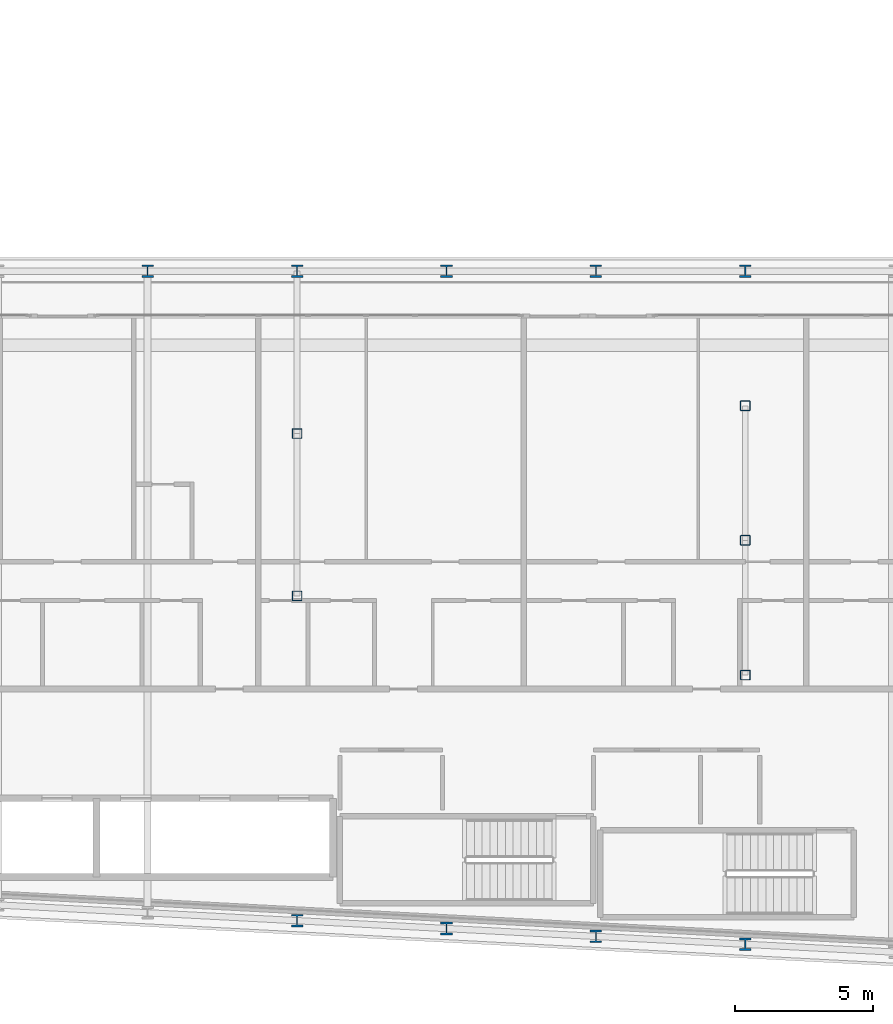
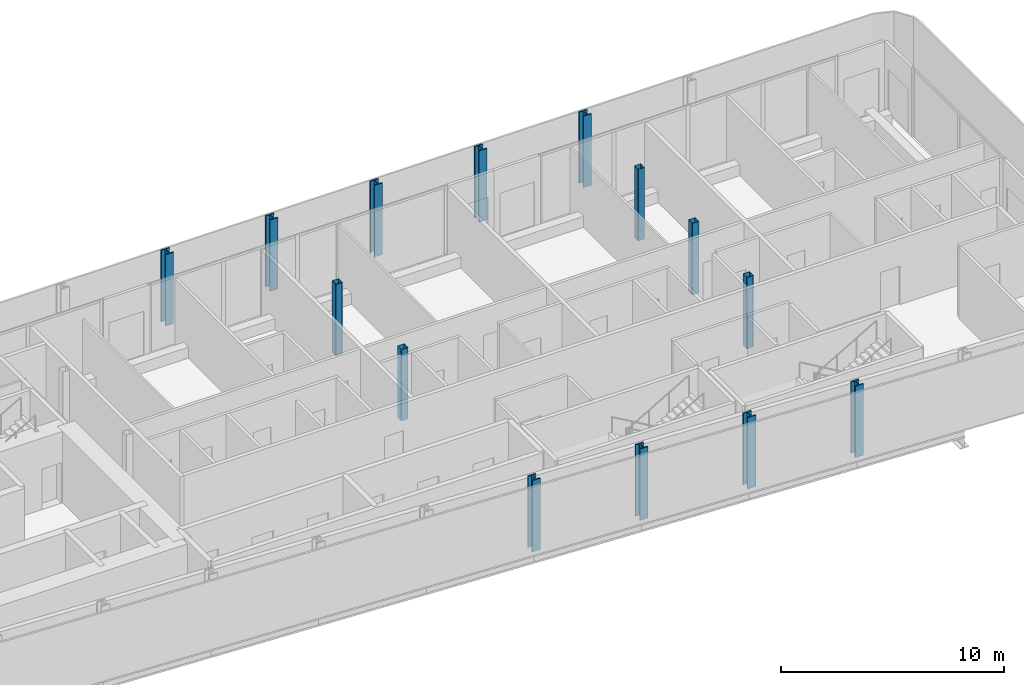
# One storey, part 2 of 27: 14 columns.
"""IFC4 building model written with IfcOpenShell, lengths in metres."""

from ifc_helpers import new_model, si_unit, direction, frame, origin, origin_2d, place, context, subcontext, project, spatial, hollow_rectangle, i_section, extrude, material, material_profile, profile_set, type_object, element, save


model = new_model("IFC4")

# Units and contexts
model_context = context("Model", 3, precision=1e-05, world=origin(), true_north=direction((0.0, 1.0)))
body_context = subcontext(model_context, "Body", "Model", "MODEL_VIEW")
ifc_project = project(units=[si_unit("LENGTHUNIT", "METRE"), si_unit("AREAUNIT", "SQUARE_METRE"), si_unit("VOLUMEUNIT", "CUBIC_METRE"), si_unit("PLANEANGLEUNIT", "RADIAN"), si_unit("MASSUNIT", "GRAM", prefix="KILO")], contexts=[model_context])

# Site, building, storey
site_placement = place(None, origin())
site = spatial("IfcSite", under=ifc_project, at=site_placement, CompositionType="ELEMENT")
building_placement = place(site_placement, origin())
building = spatial("IfcBuilding", under=site, at=building_placement, Name="Kheshtan School and Residences Tower", CompositionType="ELEMENT")
storey_placement = place(building_placement, frame((0.0, 0.0, 101.89990234375)))
storey = spatial("IfcBuildingStorey", under=building, at=storey_placement, Name="L23", CompositionType="ELEMENT", Elevation=101.89990234375)

# Columns
ifc_material_1 = material(Name="Steel ASTM A992 Grade 50", Category="steel")
ifc_material_profile_1 = material_profile(ifc_material_1, i_section(OverallWidth=0.41796875, OverallDepth=0.455078125, WebThickness=0.042236328125, FlangeThickness=0.067626953125, FilletRadius=0.013671875, at=origin_2d()), Name="W360x551")
ifc_profile_set_1 = profile_set([ifc_material_profile_1], Name="Steel ASTM A992 Grade 50")
column_type_1 = type_object("IfcColumnType", Name="Column C2 W360x551 ASTM A992 Grade 50", PredefinedType="COLUMN", material=ifc_profile_set_1)
for number, where, z_axis, x_axis, name in (
    (1, (85.39990234375, 21.27392578125, 0.0), (0.0, 0.0, 1.0), (1.0, 0.0, 0.0), "Column C008"),
    (2, (80.0, 21.55810546875, 0.0), (0.0, 0.0, 1.0), (1.0, 0.0, 0.0), "Column C012"),
    (3, (74.60009765625, 21.843017578125, 0.0), (0.0, 0.0, 1.0), (1.0, 0.0, 0.0), "Column C013"),
    (4, (69.199951171875, 22.126953125, 0.0), (0.0, 0.0, 1.0), (1.0, 0.0, 0.0), "Column C014"),
    (5, (63.800048828125, 45.60009765625, 0.0), (0.0, 0.0, 1.0), (1.0, 0.0, 0.0), "Column C063"),
    (6, (69.199951171875, 45.60009765625, 0.0), (0.0, 0.0, 1.0), (1.0, 0.0, 0.0), "Column C064"),
    (7, (74.60009765625, 45.60009765625, 0.0), (0.0, 0.0, 1.0), (1.0, 0.0, 0.0), "Column C065"),
    (8, (80.0, 45.60009765625, 0.0), (0.0, 0.0, 1.0), (1.0, 0.0, 0.0), "Column C066"),
    (9, (85.39990234375, 45.60009765625, 0.0), (0.0, 0.0, 1.0), (1.0, 0.0, 0.0), "Column C067"),
):
    element("IfcColumn", number, at=place(storey_placement, frame(where, z_axis=z_axis, x_axis=x_axis)), inside=storey, type_object=column_type_1, Name=name, PredefinedType="COLUMN", context=body_context, shape_type="SweptSolid", body=[
        extrude(i_section(OverallWidth=0.41796875, OverallDepth=0.455078125, WebThickness=0.042236328125, FlangeThickness=0.067626953125, FilletRadius=0.013671875, at=origin_2d()), origin(), (0.0, 0.0, 1.0), 3.900146484375),
    ])
ifc_material_2 = material(Name="Steel ASTM A500 Grade C", Category="steel")
ifc_material_profile_2 = material_profile(ifc_material_2, hollow_rectangle(XDim=0.35595703125, YDim=0.35595703125, WallThickness=0.015869140625, InnerFilletRadius=0.015869140625, OuterFilletRadius=0.03173828125, at=origin_2d()), Name="HSS 356x356x15.9")
ifc_profile_set_2 = profile_set([ifc_material_profile_2], Name="Steel ASTM A500 Grade C")
column_type_2 = type_object("IfcColumnType", Name="Column IC1 HSS 356x356x15.9 ASTM A500 Grade C", PredefinedType="COLUMN", material=ifc_profile_set_2)
for number, where, z_axis, x_axis, name in (
    (10, (85.39990234375, 31.0048828125, 0.0), (0.0, 0.0, 1.0), (1.0, 0.0, 0.0), "Column C049"),
    (11, (69.199951171875, 33.863037109375, 0.0), (0.0, 0.0, 1.0), (1.0, 0.0, 0.0), "Column C050"),
    (12, (85.39990234375, 35.8701171875, 0.0), (0.0, 0.0, 1.0), (1.0, 0.0, 0.0), "Column C053"),
    (13, (69.199951171875, 39.73193359375, 0.0), (0.0, 0.0, 1.0), (1.0, 0.0, 0.0), "Column C054"),
    (14, (85.39990234375, 40.735107421875, 0.0), (0.0, 0.0, 1.0), (1.0, 0.0, 0.0), "Column C057"),
):
    element("IfcColumn", number, at=place(storey_placement, frame(where, z_axis=z_axis, x_axis=x_axis)), inside=storey, type_object=column_type_2, Name=name, PredefinedType="COLUMN", context=body_context, shape_type="SweptSolid", body=[
        extrude(hollow_rectangle(XDim=0.35595703125, YDim=0.35595703125, WallThickness=0.015869140625, InnerFilletRadius=0.015869140625, OuterFilletRadius=0.03173828125, at=origin_2d()), origin(), (0.0, 0.0, 1.0), 3.900146484375),
    ])

save(model, "model.ifc")
